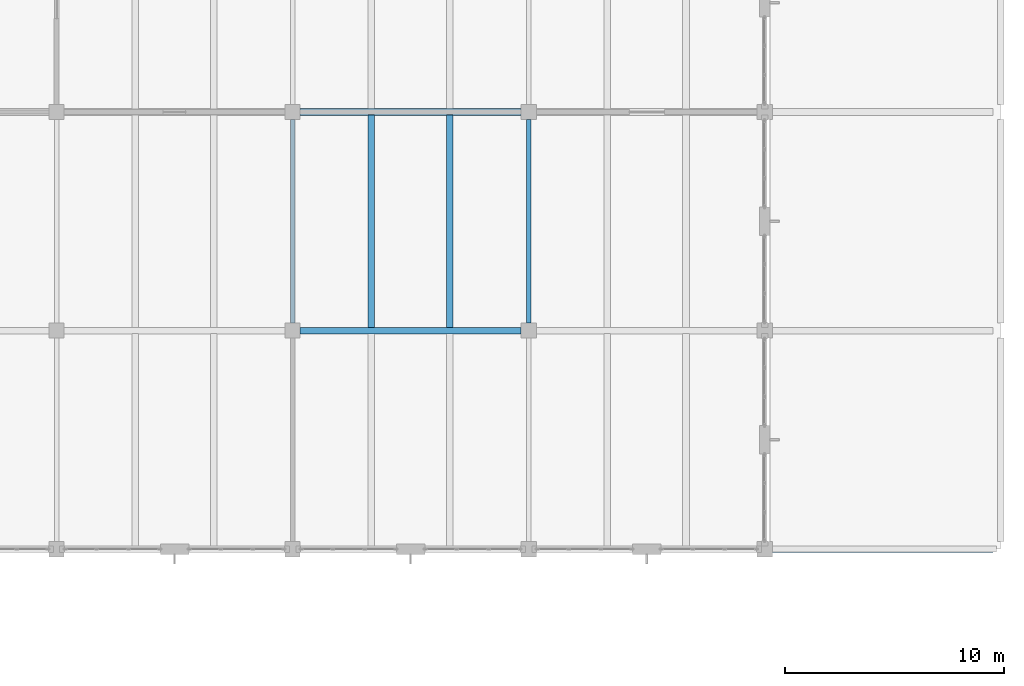
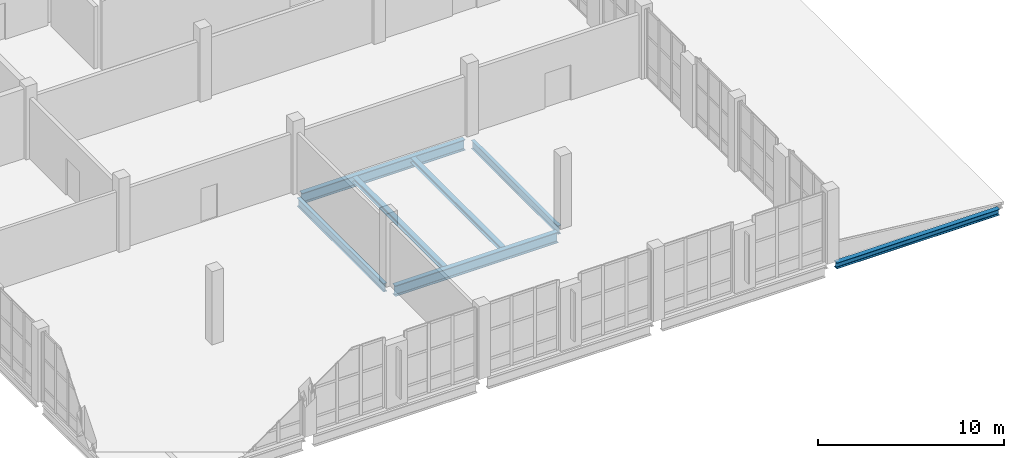
# One storey, part 49 of 92: 7 beams.
"""IFC4 building model written with IfcOpenShell, lengths in metres."""

from ifc_helpers import new_model, si_unit, direction, frame, origin, origin_2d, place, context, subcontext, project, spatial, i_section, extrude, material, material_profile, profile_set, type_object, element, save


model = new_model("IFC4")

# Units and contexts
model_context = context("Model", 3, precision=1e-05, world=origin(), true_north=direction((0.0, 1.0)))
body_context = subcontext(model_context, "Body", "Model", "MODEL_VIEW")
ifc_project = project(units=[si_unit("LENGTHUNIT", "METRE"), si_unit("AREAUNIT", "SQUARE_METRE"), si_unit("VOLUMEUNIT", "CUBIC_METRE"), si_unit("PLANEANGLEUNIT", "RADIAN"), si_unit("MASSUNIT", "GRAM", prefix="KILO")], contexts=[model_context])

# Site, building, storey
site_placement = place(None, origin())
site = spatial("IfcSite", under=ifc_project, at=site_placement, CompositionType="ELEMENT")
building_placement = place(site_placement, origin())
building = spatial("IfcBuilding", under=site, at=building_placement, Name="Tasgan Crest Museum", CompositionType="ELEMENT")
storey_placement = place(building_placement, frame((0.0, 0.0, 4.800048828125)))
storey = spatial("IfcBuildingStorey", under=building, at=storey_placement, Name="L01", CompositionType="ELEMENT", Elevation=4.800048828125)

# Beams
ifc_material_1 = material(Name="Steel S355J2", Category="steel")
ifc_material_profile_1 = material_profile(ifc_material_1, i_section(OverallWidth=0.300048828125, OverallDepth=0.389892578125, WebThickness=0.010986328125, FlangeThickness=0.01904296875, FilletRadius=0.027099609375, at=origin_2d()), Name="HEA 400")
ifc_profile_set_1 = profile_set([ifc_material_profile_1], Name="Steel S355J2")
beam_type_1 = type_object("IfcBeamType", Name="BM-G-HEA400", PredefinedType="BEAM", material=ifc_profile_set_1)
beam_placement = place(storey_placement, frame((151.5458984375, 10.0, -0.47509765625), z_axis=(1.0, 0.0, 0.0), x_axis=(0.0, 1.0, 0.0)))
element("IfcBeam", 1, at=beam_placement, inside=storey, type_object=beam_type_1, Name="East loading dock sloped roof girder B 151.2", PredefinedType="BEAM", context=body_context, shape_type="SweptSolid", body=[
    extrude(i_section(OverallWidth=0.300048828125, OverallDepth=0.389892578125, WebThickness=0.010986328125, FlangeThickness=0.01904296875, FilletRadius=0.027099609375, at=origin_2d()), origin(), (0.0, 0.0, 1.0), 10.108154296875),
])
ifc_material_2 = material(Name="Steel S355K2", Category="steel")
ifc_material_profile_2 = material_profile(ifc_material_2, i_section(OverallWidth=0.300048828125, OverallDepth=0.699951171875, WebThickness=0.01708984375, FlangeThickness=0.031982421875, FilletRadius=0.027099609375, at=origin_2d()), Name="HEB 700")
ifc_profile_set_2 = profile_set([ifc_material_profile_2], Name="Steel S355K2")
beam_type_2 = type_object("IfcBeamType", Name="BM-G-HEB700", PredefinedType="BEAM", material=ifc_profile_set_2)
for number, where, z_axis, x_axis, name in (
    (2, (129.946044921875, 20.0, -0.630126953125), (1.0, 0.0, 0.0), (0.0, 1.0, 0.0), "Girder L01 C 129.6-140.4"),
    (3, (129.946044921875, 30.0, -0.630126953125), (1.0, 0.0, 0.0), (0.0, 1.0, 0.0), "Girder L01 D 129.6-140.4"),
):
    element("IfcBeam", number, at=place(storey_placement, frame(where, z_axis=z_axis, x_axis=x_axis)), inside=storey, type_object=beam_type_2, Name=name, PredefinedType="BEAM", context=body_context, shape_type="SweptSolid", body=[
        extrude(i_section(OverallWidth=0.300048828125, OverallDepth=0.699951171875, WebThickness=0.01708984375, FlangeThickness=0.031982421875, FilletRadius=0.027099609375, at=origin_2d()), origin(), (0.0, 0.0, 1.0), 10.10791015625),
    ])
ifc_material_3 = material(Name="Steel S355J2", Category="steel")
ifc_material_profile_3 = material_profile(ifc_material_3, i_section(OverallWidth=0.2099609375, OverallDepth=0.550048828125, WebThickness=0.010986328125, FlangeThickness=0.01708984375, FilletRadius=0.02392578125, at=origin_2d()), Name="IPE 550")
ifc_profile_set_3 = profile_set([ifc_material_profile_3], Name="Steel S355J2")
beam_type_3 = type_object("IfcBeamType", Name="BM-G-IPE550", PredefinedType="BEAM", material=ifc_profile_set_3)
for number, where, z_axis, x_axis, name in (
    (4, (129.60009765625, 20.344970703125, -0.554931640625), (0.0, 1.0, 0.0), (-1.0, 0.0, 0.0), "Beam L01 13 20.0-30.0"),
    (5, (140.39990234375, 20.344970703125, -0.554931640625), (0.0, 1.0, 0.0), (-1.0, 0.0, 0.0), "Beam L01 14 20.0-30.0"),
):
    element("IfcBeam", number, at=place(storey_placement, frame(where, z_axis=z_axis, x_axis=x_axis)), inside=storey, type_object=beam_type_3, Name=name, PredefinedType="BEAM", context=body_context, shape_type="SweptSolid", body=[
        extrude(i_section(OverallWidth=0.2099609375, OverallDepth=0.550048828125, WebThickness=0.010986328125, FlangeThickness=0.01708984375, FilletRadius=0.02392578125, at=origin_2d()), origin(), (0.0, 0.0, 1.0), 9.31005859375),
    ])
ifc_material_4 = material(Name="Steel S355J2", Category="steel")
ifc_material_profile_4 = material_profile(ifc_material_4, i_section(OverallWidth=0.300048828125, OverallDepth=0.31005859375, WebThickness=0.009033203125, FlangeThickness=0.015380859375, FilletRadius=0.027099609375, at=origin_2d()), Name="HEA 320")
ifc_profile_set_4 = profile_set([ifc_material_profile_4], Name="Steel S355J2")
beam_type_4 = type_object("IfcBeamType", Name="BM-J-HEA320", PredefinedType="JOIST", material=ifc_profile_set_4)
for number, where, z_axis, x_axis, name in (
    (6, (133.199951171875, 20.14501953125, -0.43505859375), (0.0, 1.0, 0.0), (-1.0, 0.0, 0.0), "Secondary joist L01 X=133.2 Y=20.0-30.0"),
    (7, (136.800048828125, 20.14501953125, -0.43505859375), (0.0, 1.0, 0.0), (-1.0, 0.0, 0.0), "Secondary joist L01 X=136.8 Y=20.0-30.0"),
):
    element("IfcBeam", number, at=place(storey_placement, frame(where, z_axis=z_axis, x_axis=x_axis)), inside=storey, type_object=beam_type_4, Name=name, PredefinedType="JOIST", context=body_context, shape_type="SweptSolid", body=[
        extrude(i_section(OverallWidth=0.300048828125, OverallDepth=0.31005859375, WebThickness=0.009033203125, FlangeThickness=0.015380859375, FilletRadius=0.027099609375, at=origin_2d()), origin(), (0.0, 0.0, 1.0), 9.7099609375),
    ])

save(model, "model.ifc")
